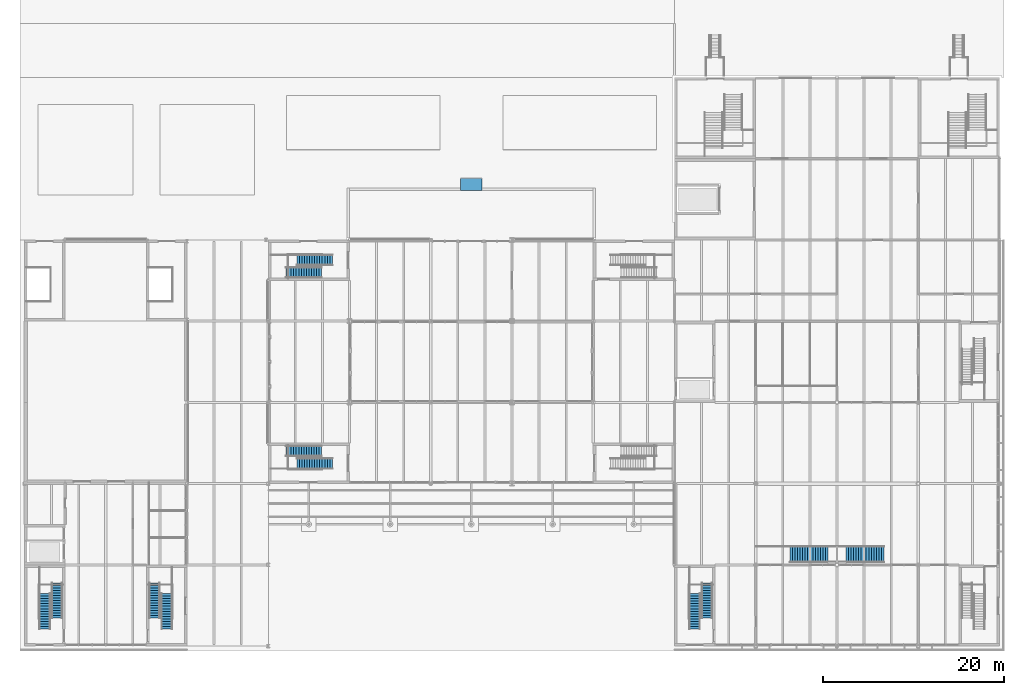
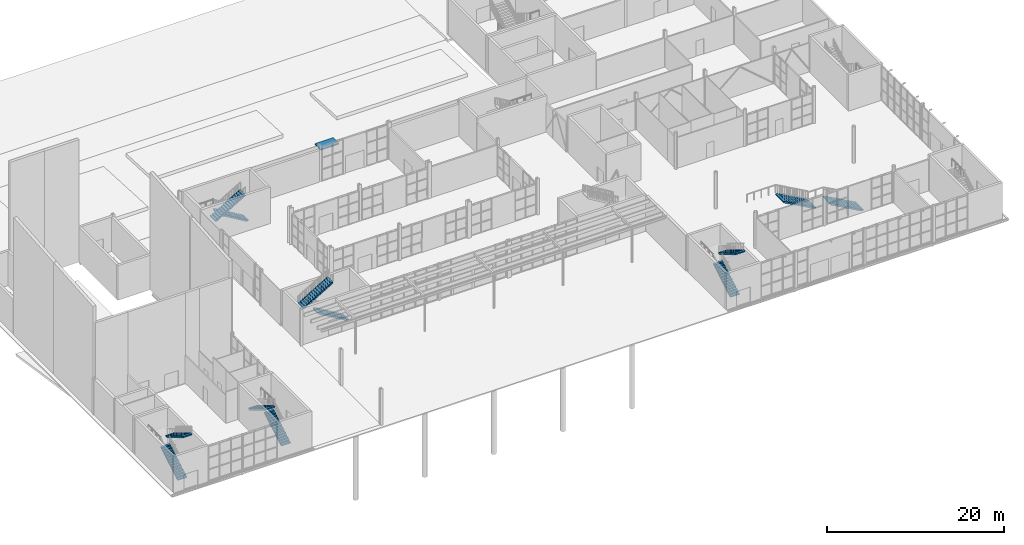
# One storey, part 41 of 63: 13 stair flights, 7 elements without a shape of their own.
"""IFC4 building model written with IfcOpenShell, lengths in metres."""

from ifc_helpers import new_model, si_unit, direction, frame, origin, place, context, subcontext, project, spatial, polyline, outline, extrude, material, type_object, element, aggregate, save


model = new_model("IFC4")

# Units and contexts
model_context = context("Model", 3, precision=1e-05, world=origin(), true_north=direction((0.0, 1.0)))
body_context = subcontext(model_context, "Body", "Model", "MODEL_VIEW")
ifc_project = project(units=[si_unit("LENGTHUNIT", "METRE"), si_unit("AREAUNIT", "SQUARE_METRE"), si_unit("VOLUMEUNIT", "CUBIC_METRE"), si_unit("PLANEANGLEUNIT", "RADIAN"), si_unit("MASSUNIT", "GRAM", prefix="KILO")], contexts=[model_context])

# Site, building, storey
site_placement = place(None, origin())
site = spatial("IfcSite", under=ifc_project, at=site_placement, CompositionType="ELEMENT")
building_placement = place(site_placement, origin())
building = spatial("IfcBuilding", under=site, at=building_placement, Name="Halyard Row Museum", CompositionType="ELEMENT")
storey_placement = place(building_placement, origin())
storey = spatial("IfcBuildingStorey", under=building, at=storey_placement, Name="L00", CompositionType="ELEMENT", Elevation=0.0)

# Stair, stair flights
ifc_material_1 = material(Name="Concrete 40 MPa", Category="concrete")
stair_type_1 = type_object("IfcStairType", Name="Exit stair two flights 1200", PredefinedType="HALF_TURN_STAIR", material=ifc_material_1)
stair_1_placement = place(storey_placement, origin())
stair_1 = element("IfcStair", 1, at=stair_1_placement, inside=storey, type_object=stair_type_1, Name="Exit stair K1A L00", PredefinedType="HALF_TURN_STAIR")
ifc_material_2 = material(Name="Concrete 40 MPa", Category="concrete")
stair_flight_type_1 = type_object("IfcStairFlightType", Name="Exit stair flight 1200", PredefinedType="STRAIGHT", material=ifc_material_2)
stair_flight_1_placement = place(storey_placement, frame((34.10009765625, 42.75, 0.0), z_axis=(0.0, 0.0, 1.0), x_axis=(-1.0, 0.0, 0.0)))
stair_flight_1 = element("IfcStairFlight", 2, at=stair_flight_1_placement, type_object=stair_flight_type_1, Name="STK1A-L00 flight 1", NumberOfRisers=15, NumberOfTreads=14, PredefinedType="STRAIGHT", RiserHeight=0.166666667, TreadLength=0.28, context=body_context, shape_type="SweptSolid", body=[
    extrude(outline(polyline([(0.0, 0.0), (0.0, 0.166748046875), (0.280029296875, 0.166748046875), (0.280029296875, 0.333251953125), (0.56005859375, 0.333251953125), (0.56005859375, 0.5), (0.840087890625, 0.5), (0.840087890625, 0.666748046875), (1.1201171875, 0.666748046875), (1.1201171875, 0.833251953125), (1.39990234375, 0.833251953125), (1.39990234375, 1.0), (1.679931640625, 1.0), (1.679931640625, 1.166748046875), (1.9599609375, 1.166748046875), (1.9599609375, 1.333251953125), (2.239990234375, 1.333251953125), (2.239990234375, 1.5), (2.52001953125, 1.5), (2.52001953125, 1.666748046875), (2.800048828125, 1.666748046875), (2.800048828125, 1.833251953125), (3.080078125, 1.833251953125), (3.080078125, 2.0), (3.360107421875, 2.0), (3.360107421875, 2.166748046875), (3.639892578125, 2.166748046875), (3.639892578125, 2.333251953125), (3.919921875, 2.333251953125), (3.919921875, 2.5), (3.919921875, 2.158935546875), (0.29296875, 0.0), (0.0, 0.0)])), frame((0.0, 0.60009765625, 0.0), z_axis=(0.0, -1.0, 0.0), x_axis=(1.0, 0.0, 0.0)), (0.0, 0.0, 1.0), 0.59912109375),
    extrude(outline(polyline([(0.0, 0.0), (0.0, 0.166748046875), (0.280029296875, 0.166748046875), (0.280029296875, 0.333251953125), (0.56005859375, 0.333251953125), (0.56005859375, 0.5), (0.840087890625, 0.5), (0.840087890625, 0.666748046875), (1.1201171875, 0.666748046875), (1.1201171875, 0.833251953125), (1.39990234375, 0.833251953125), (1.39990234375, 1.0), (1.679931640625, 1.0), (1.679931640625, 1.166748046875), (1.9599609375, 1.166748046875), (1.9599609375, 1.333251953125), (2.239990234375, 1.333251953125), (2.239990234375, 1.5), (2.52001953125, 1.5), (2.52001953125, 1.666748046875), (2.800048828125, 1.666748046875), (2.800048828125, 1.833251953125), (3.080078125, 1.833251953125), (3.080078125, 2.0), (3.360107421875, 2.0), (3.360107421875, 2.166748046875), (3.639892578125, 2.166748046875), (3.639892578125, 2.333251953125), (3.919921875, 2.333251953125), (3.919921875, 2.5), (3.919921875, 2.158935546875), (0.29296875, 0.0), (0.0, 0.0)])), frame((0.0, -0.0009765625, 0.0), z_axis=(0.0, -1.0, 0.0), x_axis=(1.0, 0.0, 0.0)), (0.0, 0.0, 1.0), 0.59912109375),
])
stair_flight_2_placement = place(storey_placement, frame((28.97998046875, 41.39990234375, 2.5), z_axis=(0.0, 0.0, 1.0), x_axis=(1.0, 0.0, 0.0)))
stair_flight_2 = element("IfcStairFlight", 3, at=stair_flight_2_placement, type_object=stair_flight_type_1, Name="STK1A-L00 flight 2", NumberOfRisers=15, NumberOfTreads=14, PredefinedType="STRAIGHT", RiserHeight=0.166666667, TreadLength=0.28, context=body_context, shape_type="SweptSolid", body=[
    extrude(outline(polyline([(0.0, 0.0), (0.0, 0.166748046875), (0.280029296875, 0.166748046875), (0.280029296875, 0.333251953125), (0.56005859375, 0.333251953125), (0.56005859375, 0.5), (0.840087890625, 0.5), (0.840087890625, 0.666748046875), (1.1201171875, 0.666748046875), (1.1201171875, 0.833251953125), (1.39990234375, 0.833251953125), (1.39990234375, 1.0), (1.679931640625, 1.0), (1.679931640625, 1.166748046875), (1.9599609375, 1.166748046875), (1.9599609375, 1.333251953125), (2.239990234375, 1.333251953125), (2.239990234375, 1.5), (2.52001953125, 1.5), (2.52001953125, 1.666748046875), (2.800048828125, 1.666748046875), (2.800048828125, 1.833251953125), (3.080078125, 1.833251953125), (3.080078125, 2.0), (3.360107421875, 2.0), (3.360107421875, 2.166748046875), (3.639892578125, 2.166748046875), (3.639892578125, 2.333251953125), (3.919921875, 2.333251953125), (3.919921875, 2.5), (3.919921875, 2.158935546875), (0.29296875, 0.0), (0.0, 0.0)])), frame((0.0, 0.60009765625, 0.0), z_axis=(0.0, -1.0, 0.0), x_axis=(1.0, 0.0, 0.0)), (0.0, 0.0, 1.0), 0.59912109375),
    extrude(outline(polyline([(0.0, 0.0), (0.0, 0.166748046875), (0.280029296875, 0.166748046875), (0.280029296875, 0.333251953125), (0.56005859375, 0.333251953125), (0.56005859375, 0.5), (0.840087890625, 0.5), (0.840087890625, 0.666748046875), (1.1201171875, 0.666748046875), (1.1201171875, 0.833251953125), (1.39990234375, 0.833251953125), (1.39990234375, 1.0), (1.679931640625, 1.0), (1.679931640625, 1.166748046875), (1.9599609375, 1.166748046875), (1.9599609375, 1.333251953125), (2.239990234375, 1.333251953125), (2.239990234375, 1.5), (2.52001953125, 1.5), (2.52001953125, 1.666748046875), (2.800048828125, 1.666748046875), (2.800048828125, 1.833251953125), (3.080078125, 1.833251953125), (3.080078125, 2.0), (3.360107421875, 2.0), (3.360107421875, 2.166748046875), (3.639892578125, 2.166748046875), (3.639892578125, 2.333251953125), (3.919921875, 2.333251953125), (3.919921875, 2.5), (3.919921875, 2.158935546875), (0.29296875, 0.0), (0.0, 0.0)])), frame((0.0, -0.0009765625, 0.0), z_axis=(0.0, -1.0, 0.0), x_axis=(1.0, 0.0, 0.0)), (0.0, 0.0, 1.0), 0.59912109375),
])
aggregate(stair_1, [stair_flight_1, stair_flight_2])

stair_2_placement = place(storey_placement, origin())
stair_2 = element("IfcStair", 4, at=stair_2_placement, inside=storey, type_object=stair_type_1, Name="Exit stair K1D L00", PredefinedType="HALF_TURN_STAIR")
stair_flight_3_placement = place(storey_placement, frame((34.10009765625, 20.25, 0.0), z_axis=(0.0, 0.0, 1.0), x_axis=(-1.0, 0.0, 0.0)))
stair_flight_3 = element("IfcStairFlight", 5, at=stair_flight_3_placement, type_object=stair_flight_type_1, Name="STK1D-L00 flight 1", NumberOfRisers=15, NumberOfTreads=14, PredefinedType="STRAIGHT", RiserHeight=0.166666667, TreadLength=0.28, context=body_context, shape_type="SweptSolid", body=[
    extrude(outline(polyline([(0.0, 0.0), (0.0, 0.166748046875), (0.280029296875, 0.166748046875), (0.280029296875, 0.333251953125), (0.56005859375, 0.333251953125), (0.56005859375, 0.5), (0.840087890625, 0.5), (0.840087890625, 0.666748046875), (1.1201171875, 0.666748046875), (1.1201171875, 0.833251953125), (1.39990234375, 0.833251953125), (1.39990234375, 1.0), (1.679931640625, 1.0), (1.679931640625, 1.166748046875), (1.9599609375, 1.166748046875), (1.9599609375, 1.333251953125), (2.239990234375, 1.333251953125), (2.239990234375, 1.5), (2.52001953125, 1.5), (2.52001953125, 1.666748046875), (2.800048828125, 1.666748046875), (2.800048828125, 1.833251953125), (3.080078125, 1.833251953125), (3.080078125, 2.0), (3.360107421875, 2.0), (3.360107421875, 2.166748046875), (3.639892578125, 2.166748046875), (3.639892578125, 2.333251953125), (3.919921875, 2.333251953125), (3.919921875, 2.5), (3.919921875, 2.158935546875), (0.29296875, 0.0), (0.0, 0.0)])), frame((0.0, 0.60009765625, 0.0), z_axis=(0.0, -1.0, 0.0), x_axis=(1.0, 0.0, 0.0)), (0.0, 0.0, 1.0), 0.59912109375),
    extrude(outline(polyline([(0.0, 0.0), (0.0, 0.166748046875), (0.280029296875, 0.166748046875), (0.280029296875, 0.333251953125), (0.56005859375, 0.333251953125), (0.56005859375, 0.5), (0.840087890625, 0.5), (0.840087890625, 0.666748046875), (1.1201171875, 0.666748046875), (1.1201171875, 0.833251953125), (1.39990234375, 0.833251953125), (1.39990234375, 1.0), (1.679931640625, 1.0), (1.679931640625, 1.166748046875), (1.9599609375, 1.166748046875), (1.9599609375, 1.333251953125), (2.239990234375, 1.333251953125), (2.239990234375, 1.5), (2.52001953125, 1.5), (2.52001953125, 1.666748046875), (2.800048828125, 1.666748046875), (2.800048828125, 1.833251953125), (3.080078125, 1.833251953125), (3.080078125, 2.0), (3.360107421875, 2.0), (3.360107421875, 2.166748046875), (3.639892578125, 2.166748046875), (3.639892578125, 2.333251953125), (3.919921875, 2.333251953125), (3.919921875, 2.5), (3.919921875, 2.158935546875), (0.29296875, 0.0), (0.0, 0.0)])), frame((0.0, -0.0009765625, 0.0), z_axis=(0.0, -1.0, 0.0), x_axis=(1.0, 0.0, 0.0)), (0.0, 0.0, 1.0), 0.59912109375),
])
stair_flight_4_placement = place(storey_placement, frame((28.97998046875, 21.60009765625, 2.5), z_axis=(0.0, 0.0, 1.0), x_axis=(1.0, 0.0, 0.0)))
stair_flight_4 = element("IfcStairFlight", 6, at=stair_flight_4_placement, type_object=stair_flight_type_1, Name="STK1D-L00 flight 2", NumberOfRisers=15, NumberOfTreads=14, PredefinedType="STRAIGHT", RiserHeight=0.166666667, TreadLength=0.28, context=body_context, shape_type="SweptSolid", body=[
    extrude(outline(polyline([(0.0, 0.0), (0.0, 0.166748046875), (0.280029296875, 0.166748046875), (0.280029296875, 0.333251953125), (0.56005859375, 0.333251953125), (0.56005859375, 0.5), (0.840087890625, 0.5), (0.840087890625, 0.666748046875), (1.1201171875, 0.666748046875), (1.1201171875, 0.833251953125), (1.39990234375, 0.833251953125), (1.39990234375, 1.0), (1.679931640625, 1.0), (1.679931640625, 1.166748046875), (1.9599609375, 1.166748046875), (1.9599609375, 1.333251953125), (2.239990234375, 1.333251953125), (2.239990234375, 1.5), (2.52001953125, 1.5), (2.52001953125, 1.666748046875), (2.800048828125, 1.666748046875), (2.800048828125, 1.833251953125), (3.080078125, 1.833251953125), (3.080078125, 2.0), (3.360107421875, 2.0), (3.360107421875, 2.166748046875), (3.639892578125, 2.166748046875), (3.639892578125, 2.333251953125), (3.919921875, 2.333251953125), (3.919921875, 2.5), (3.919921875, 2.158935546875), (0.29296875, 0.0), (0.0, 0.0)])), frame((0.0, 0.60009765625, 0.0), z_axis=(0.0, -1.0, 0.0), x_axis=(1.0, 0.0, 0.0)), (0.0, 0.0, 1.0), 0.59912109375),
    extrude(outline(polyline([(0.0, 0.0), (0.0, 0.166748046875), (0.280029296875, 0.166748046875), (0.280029296875, 0.333251953125), (0.56005859375, 0.333251953125), (0.56005859375, 0.5), (0.840087890625, 0.5), (0.840087890625, 0.666748046875), (1.1201171875, 0.666748046875), (1.1201171875, 0.833251953125), (1.39990234375, 0.833251953125), (1.39990234375, 1.0), (1.679931640625, 1.0), (1.679931640625, 1.166748046875), (1.9599609375, 1.166748046875), (1.9599609375, 1.333251953125), (2.239990234375, 1.333251953125), (2.239990234375, 1.5), (2.52001953125, 1.5), (2.52001953125, 1.666748046875), (2.800048828125, 1.666748046875), (2.800048828125, 1.833251953125), (3.080078125, 1.833251953125), (3.080078125, 2.0), (3.360107421875, 2.0), (3.360107421875, 2.166748046875), (3.639892578125, 2.166748046875), (3.639892578125, 2.333251953125), (3.919921875, 2.333251953125), (3.919921875, 2.5), (3.919921875, 2.158935546875), (0.29296875, 0.0), (0.0, 0.0)])), frame((0.0, -0.0009765625, 0.0), z_axis=(0.0, -1.0, 0.0), x_axis=(1.0, 0.0, 0.0)), (0.0, 0.0, 1.0), 0.59912109375),
])
aggregate(stair_2, [stair_flight_3, stair_flight_4])

stair_3_placement = place(storey_placement, origin())
stair_3 = element("IfcStair", 7, at=stair_3_placement, inside=storey, type_object=stair_type_1, Name="Exit stair K2A L00", PredefinedType="HALF_TURN_STAIR")
stair_flight_5_placement = place(storey_placement, frame((74.25, 1.89990234375, 0.0), z_axis=(0.0, 0.0, 1.0), x_axis=(0.0, 1.0, 0.0)))
stair_flight_5 = element("IfcStairFlight", 8, at=stair_flight_5_placement, type_object=stair_flight_type_1, Name="STK2A-L00 flight 1", NumberOfRisers=15, NumberOfTreads=14, PredefinedType="STRAIGHT", RiserHeight=0.166666667, TreadLength=0.28, context=body_context, shape_type="SweptSolid", body=[
    extrude(outline(polyline([(0.0, 0.0), (0.0, 0.166748046875), (0.280029296875, 0.166748046875), (0.280029296875, 0.333251953125), (0.56005859375, 0.333251953125), (0.56005859375, 0.5), (0.840087890625, 0.5), (0.840087890625, 0.666748046875), (1.1201171875, 0.666748046875), (1.1201171875, 0.833251953125), (1.39990234375, 0.833251953125), (1.39990234375, 1.0), (1.679931640625, 1.0), (1.679931640625, 1.166748046875), (1.9599609375, 1.166748046875), (1.9599609375, 1.333251953125), (2.239990234375, 1.333251953125), (2.239990234375, 1.5), (2.52001953125, 1.5), (2.52001953125, 1.666748046875), (2.800048828125, 1.666748046875), (2.800048828125, 1.833251953125), (3.080078125, 1.833251953125), (3.080078125, 2.0), (3.360107421875, 2.0), (3.360107421875, 2.166748046875), (3.639892578125, 2.166748046875), (3.639892578125, 2.333251953125), (3.919921875, 2.333251953125), (3.919921875, 2.5), (3.919921875, 2.158935546875), (0.29296875, 0.0), (0.0, 0.0)])), frame((0.0, 0.60009765625, 0.0), z_axis=(0.0, -1.0, 0.0), x_axis=(1.0, 0.0, 0.0)), (0.0, 0.0, 1.0), 0.59912109375),
    extrude(outline(polyline([(0.0, 0.0), (0.0, 0.166748046875), (0.280029296875, 0.166748046875), (0.280029296875, 0.333251953125), (0.56005859375, 0.333251953125), (0.56005859375, 0.5), (0.840087890625, 0.5), (0.840087890625, 0.666748046875), (1.1201171875, 0.666748046875), (1.1201171875, 0.833251953125), (1.39990234375, 0.833251953125), (1.39990234375, 1.0), (1.679931640625, 1.0), (1.679931640625, 1.166748046875), (1.9599609375, 1.166748046875), (1.9599609375, 1.333251953125), (2.239990234375, 1.333251953125), (2.239990234375, 1.5), (2.52001953125, 1.5), (2.52001953125, 1.666748046875), (2.800048828125, 1.666748046875), (2.800048828125, 1.833251953125), (3.080078125, 1.833251953125), (3.080078125, 2.0), (3.360107421875, 2.0), (3.360107421875, 2.166748046875), (3.639892578125, 2.166748046875), (3.639892578125, 2.333251953125), (3.919921875, 2.333251953125), (3.919921875, 2.5), (3.919921875, 2.158935546875), (0.29296875, 0.0), (0.0, 0.0)])), frame((0.0, -0.0009765625, 0.0), z_axis=(0.0, -1.0, 0.0), x_axis=(1.0, 0.0, 0.0)), (0.0, 0.0, 1.0), 0.59912109375),
])
stair_flight_6_placement = place(storey_placement, frame((75.60009765625, 7.02001953125, 2.5), z_axis=(0.0, 0.0, 1.0), x_axis=(0.0, -1.0, 0.0)))
stair_flight_6 = element("IfcStairFlight", 9, at=stair_flight_6_placement, type_object=stair_flight_type_1, Name="STK2A-L00 flight 2", NumberOfRisers=15, NumberOfTreads=14, PredefinedType="STRAIGHT", RiserHeight=0.166666667, TreadLength=0.28, context=body_context, shape_type="SweptSolid", body=[
    extrude(outline(polyline([(0.0, 0.0), (0.0, 0.166748046875), (0.280029296875, 0.166748046875), (0.280029296875, 0.333251953125), (0.56005859375, 0.333251953125), (0.56005859375, 0.5), (0.840087890625, 0.5), (0.840087890625, 0.666748046875), (1.1201171875, 0.666748046875), (1.1201171875, 0.833251953125), (1.39990234375, 0.833251953125), (1.39990234375, 1.0), (1.679931640625, 1.0), (1.679931640625, 1.166748046875), (1.9599609375, 1.166748046875), (1.9599609375, 1.333251953125), (2.239990234375, 1.333251953125), (2.239990234375, 1.5), (2.52001953125, 1.5), (2.52001953125, 1.666748046875), (2.800048828125, 1.666748046875), (2.800048828125, 1.833251953125), (3.080078125, 1.833251953125), (3.080078125, 2.0), (3.360107421875, 2.0), (3.360107421875, 2.166748046875), (3.639892578125, 2.166748046875), (3.639892578125, 2.333251953125), (3.919921875, 2.333251953125), (3.919921875, 2.5), (3.919921875, 2.158935546875), (0.29296875, 0.0), (0.0, 0.0)])), frame((0.0, 0.60009765625, 0.0), z_axis=(0.0, -1.0, 0.0), x_axis=(1.0, 0.0, 0.0)), (0.0, 0.0, 1.0), 0.59912109375),
    extrude(outline(polyline([(0.0, 0.0), (0.0, 0.166748046875), (0.280029296875, 0.166748046875), (0.280029296875, 0.333251953125), (0.56005859375, 0.333251953125), (0.56005859375, 0.5), (0.840087890625, 0.5), (0.840087890625, 0.666748046875), (1.1201171875, 0.666748046875), (1.1201171875, 0.833251953125), (1.39990234375, 0.833251953125), (1.39990234375, 1.0), (1.679931640625, 1.0), (1.679931640625, 1.166748046875), (1.9599609375, 1.166748046875), (1.9599609375, 1.333251953125), (2.239990234375, 1.333251953125), (2.239990234375, 1.5), (2.52001953125, 1.5), (2.52001953125, 1.666748046875), (2.800048828125, 1.666748046875), (2.800048828125, 1.833251953125), (3.080078125, 1.833251953125), (3.080078125, 2.0), (3.360107421875, 2.0), (3.360107421875, 2.166748046875), (3.639892578125, 2.166748046875), (3.639892578125, 2.333251953125), (3.919921875, 2.333251953125), (3.919921875, 2.5), (3.919921875, 2.158935546875), (0.29296875, 0.0), (0.0, 0.0)])), frame((0.0, -0.0009765625, 0.0), z_axis=(0.0, -1.0, 0.0), x_axis=(1.0, 0.0, 0.0)), (0.0, 0.0, 1.0), 0.59912109375),
])
aggregate(stair_3, [stair_flight_5, stair_flight_6])

stair_4_placement = place(storey_placement, origin())
stair_4 = element("IfcStair", 10, at=stair_4_placement, inside=storey, type_object=stair_type_1, Name="Exit stair K3E L00", PredefinedType="HALF_TURN_STAIR")
stair_flight_7_placement = place(storey_placement, frame((15.75, 1.89990234375, 0.0), z_axis=(0.0, 0.0, 1.0), x_axis=(0.0, 1.0, 0.0)))
stair_flight_7 = element("IfcStairFlight", 11, at=stair_flight_7_placement, type_object=stair_flight_type_1, Name="STK3E-L00 flight 1", NumberOfRisers=15, NumberOfTreads=14, PredefinedType="STRAIGHT", RiserHeight=0.166666667, TreadLength=0.28, context=body_context, shape_type="SweptSolid", body=[
    extrude(outline(polyline([(0.0, 0.0), (0.0, 0.166748046875), (0.280029296875, 0.166748046875), (0.280029296875, 0.333251953125), (0.56005859375, 0.333251953125), (0.56005859375, 0.5), (0.840087890625, 0.5), (0.840087890625, 0.666748046875), (1.1201171875, 0.666748046875), (1.1201171875, 0.833251953125), (1.39990234375, 0.833251953125), (1.39990234375, 1.0), (1.679931640625, 1.0), (1.679931640625, 1.166748046875), (1.9599609375, 1.166748046875), (1.9599609375, 1.333251953125), (2.239990234375, 1.333251953125), (2.239990234375, 1.5), (2.52001953125, 1.5), (2.52001953125, 1.666748046875), (2.800048828125, 1.666748046875), (2.800048828125, 1.833251953125), (3.080078125, 1.833251953125), (3.080078125, 2.0), (3.360107421875, 2.0), (3.360107421875, 2.166748046875), (3.639892578125, 2.166748046875), (3.639892578125, 2.333251953125), (3.919921875, 2.333251953125), (3.919921875, 2.5), (3.919921875, 2.158935546875), (0.29296875, 0.0), (0.0, 0.0)])), frame((0.0, 0.60009765625, 0.0), z_axis=(0.0, -1.0, 0.0), x_axis=(1.0, 0.0, 0.0)), (0.0, 0.0, 1.0), 0.59912109375),
    extrude(outline(polyline([(0.0, 0.0), (0.0, 0.166748046875), (0.280029296875, 0.166748046875), (0.280029296875, 0.333251953125), (0.56005859375, 0.333251953125), (0.56005859375, 0.5), (0.840087890625, 0.5), (0.840087890625, 0.666748046875), (1.1201171875, 0.666748046875), (1.1201171875, 0.833251953125), (1.39990234375, 0.833251953125), (1.39990234375, 1.0), (1.679931640625, 1.0), (1.679931640625, 1.166748046875), (1.9599609375, 1.166748046875), (1.9599609375, 1.333251953125), (2.239990234375, 1.333251953125), (2.239990234375, 1.5), (2.52001953125, 1.5), (2.52001953125, 1.666748046875), (2.800048828125, 1.666748046875), (2.800048828125, 1.833251953125), (3.080078125, 1.833251953125), (3.080078125, 2.0), (3.360107421875, 2.0), (3.360107421875, 2.166748046875), (3.639892578125, 2.166748046875), (3.639892578125, 2.333251953125), (3.919921875, 2.333251953125), (3.919921875, 2.5), (3.919921875, 2.158935546875), (0.29296875, 0.0), (0.0, 0.0)])), frame((0.0, -0.0009765625, 0.0), z_axis=(0.0, -1.0, 0.0), x_axis=(1.0, 0.0, 0.0)), (0.0, 0.0, 1.0), 0.59912109375),
])
stair_flight_8_placement = place(storey_placement, frame((14.39990234375, 7.02001953125, 2.5), z_axis=(0.0, 0.0, 1.0), x_axis=(0.0, -1.0, 0.0)))
stair_flight_8 = element("IfcStairFlight", 12, at=stair_flight_8_placement, type_object=stair_flight_type_1, Name="STK3E-L00 flight 2", NumberOfRisers=15, NumberOfTreads=14, PredefinedType="STRAIGHT", RiserHeight=0.166666667, TreadLength=0.28, context=body_context, shape_type="SweptSolid", body=[
    extrude(outline(polyline([(0.0, 0.0), (0.0, 0.166748046875), (0.280029296875, 0.166748046875), (0.280029296875, 0.333251953125), (0.56005859375, 0.333251953125), (0.56005859375, 0.5), (0.840087890625, 0.5), (0.840087890625, 0.666748046875), (1.1201171875, 0.666748046875), (1.1201171875, 0.833251953125), (1.39990234375, 0.833251953125), (1.39990234375, 1.0), (1.679931640625, 1.0), (1.679931640625, 1.166748046875), (1.9599609375, 1.166748046875), (1.9599609375, 1.333251953125), (2.239990234375, 1.333251953125), (2.239990234375, 1.5), (2.52001953125, 1.5), (2.52001953125, 1.666748046875), (2.800048828125, 1.666748046875), (2.800048828125, 1.833251953125), (3.080078125, 1.833251953125), (3.080078125, 2.0), (3.360107421875, 2.0), (3.360107421875, 2.166748046875), (3.639892578125, 2.166748046875), (3.639892578125, 2.333251953125), (3.919921875, 2.333251953125), (3.919921875, 2.5), (3.919921875, 2.158935546875), (0.29296875, 0.0), (0.0, 0.0)])), frame((0.0, 0.60009765625, 0.0), z_axis=(0.0, -1.0, 0.0), x_axis=(1.0, 0.0, 0.0)), (0.0, 0.0, 1.0), 0.59912109375),
    extrude(outline(polyline([(0.0, 0.0), (0.0, 0.166748046875), (0.280029296875, 0.166748046875), (0.280029296875, 0.333251953125), (0.56005859375, 0.333251953125), (0.56005859375, 0.5), (0.840087890625, 0.5), (0.840087890625, 0.666748046875), (1.1201171875, 0.666748046875), (1.1201171875, 0.833251953125), (1.39990234375, 0.833251953125), (1.39990234375, 1.0), (1.679931640625, 1.0), (1.679931640625, 1.166748046875), (1.9599609375, 1.166748046875), (1.9599609375, 1.333251953125), (2.239990234375, 1.333251953125), (2.239990234375, 1.5), (2.52001953125, 1.5), (2.52001953125, 1.666748046875), (2.800048828125, 1.666748046875), (2.800048828125, 1.833251953125), (3.080078125, 1.833251953125), (3.080078125, 2.0), (3.360107421875, 2.0), (3.360107421875, 2.166748046875), (3.639892578125, 2.166748046875), (3.639892578125, 2.333251953125), (3.919921875, 2.333251953125), (3.919921875, 2.5), (3.919921875, 2.158935546875), (0.29296875, 0.0), (0.0, 0.0)])), frame((0.0, -0.0009765625, 0.0), z_axis=(0.0, -1.0, 0.0), x_axis=(1.0, 0.0, 0.0)), (0.0, 0.0, 1.0), 0.59912109375),
])
aggregate(stair_4, [stair_flight_7, stair_flight_8])

stair_5_placement = place(storey_placement, origin())
stair_5 = element("IfcStair", 13, at=stair_5_placement, inside=storey, type_object=stair_type_1, Name="Exit stair K3S L00", PredefinedType="HALF_TURN_STAIR")
stair_flight_9_placement = place(storey_placement, frame((2.25, 1.89990234375, 0.0), z_axis=(0.0, 0.0, 1.0), x_axis=(0.0, 1.0, 0.0)))
stair_flight_9 = element("IfcStairFlight", 14, at=stair_flight_9_placement, type_object=stair_flight_type_1, Name="STK3S-L00 flight 1", NumberOfRisers=15, NumberOfTreads=14, PredefinedType="STRAIGHT", RiserHeight=0.166666667, TreadLength=0.28, context=body_context, shape_type="SweptSolid", body=[
    extrude(outline(polyline([(0.0, 0.0), (0.0, 0.166748046875), (0.280029296875, 0.166748046875), (0.280029296875, 0.333251953125), (0.56005859375, 0.333251953125), (0.56005859375, 0.5), (0.840087890625, 0.5), (0.840087890625, 0.666748046875), (1.1201171875, 0.666748046875), (1.1201171875, 0.833251953125), (1.39990234375, 0.833251953125), (1.39990234375, 1.0), (1.679931640625, 1.0), (1.679931640625, 1.166748046875), (1.9599609375, 1.166748046875), (1.9599609375, 1.333251953125), (2.239990234375, 1.333251953125), (2.239990234375, 1.5), (2.52001953125, 1.5), (2.52001953125, 1.666748046875), (2.800048828125, 1.666748046875), (2.800048828125, 1.833251953125), (3.080078125, 1.833251953125), (3.080078125, 2.0), (3.360107421875, 2.0), (3.360107421875, 2.166748046875), (3.639892578125, 2.166748046875), (3.639892578125, 2.333251953125), (3.919921875, 2.333251953125), (3.919921875, 2.5), (3.919921875, 2.158935546875), (0.29296875, 0.0), (0.0, 0.0)])), frame((0.0, 0.60009765625, 0.0), z_axis=(0.0, -1.0, 0.0), x_axis=(1.0, 0.0, 0.0)), (0.0, 0.0, 1.0), 0.59912109375),
    extrude(outline(polyline([(0.0, 0.0), (0.0, 0.166748046875), (0.280029296875, 0.166748046875), (0.280029296875, 0.333251953125), (0.56005859375, 0.333251953125), (0.56005859375, 0.5), (0.840087890625, 0.5), (0.840087890625, 0.666748046875), (1.1201171875, 0.666748046875), (1.1201171875, 0.833251953125), (1.39990234375, 0.833251953125), (1.39990234375, 1.0), (1.679931640625, 1.0), (1.679931640625, 1.166748046875), (1.9599609375, 1.166748046875), (1.9599609375, 1.333251953125), (2.239990234375, 1.333251953125), (2.239990234375, 1.5), (2.52001953125, 1.5), (2.52001953125, 1.666748046875), (2.800048828125, 1.666748046875), (2.800048828125, 1.833251953125), (3.080078125, 1.833251953125), (3.080078125, 2.0), (3.360107421875, 2.0), (3.360107421875, 2.166748046875), (3.639892578125, 2.166748046875), (3.639892578125, 2.333251953125), (3.919921875, 2.333251953125), (3.919921875, 2.5), (3.919921875, 2.158935546875), (0.29296875, 0.0), (0.0, 0.0)])), frame((0.0, -0.0009765625, 0.0), z_axis=(0.0, -1.0, 0.0), x_axis=(1.0, 0.0, 0.0)), (0.0, 0.0, 1.0), 0.59912109375),
])
stair_flight_10_placement = place(storey_placement, frame((3.60009765625, 7.02001953125, 2.5), z_axis=(0.0, 0.0, 1.0), x_axis=(0.0, -1.0, 0.0)))
stair_flight_10 = element("IfcStairFlight", 15, at=stair_flight_10_placement, type_object=stair_flight_type_1, Name="STK3S-L00 flight 2", NumberOfRisers=15, NumberOfTreads=14, PredefinedType="STRAIGHT", RiserHeight=0.166666667, TreadLength=0.28, context=body_context, shape_type="SweptSolid", body=[
    extrude(outline(polyline([(0.0, 0.0), (0.0, 0.166748046875), (0.280029296875, 0.166748046875), (0.280029296875, 0.333251953125), (0.56005859375, 0.333251953125), (0.56005859375, 0.5), (0.840087890625, 0.5), (0.840087890625, 0.666748046875), (1.1201171875, 0.666748046875), (1.1201171875, 0.833251953125), (1.39990234375, 0.833251953125), (1.39990234375, 1.0), (1.679931640625, 1.0), (1.679931640625, 1.166748046875), (1.9599609375, 1.166748046875), (1.9599609375, 1.333251953125), (2.239990234375, 1.333251953125), (2.239990234375, 1.5), (2.52001953125, 1.5), (2.52001953125, 1.666748046875), (2.800048828125, 1.666748046875), (2.800048828125, 1.833251953125), (3.080078125, 1.833251953125), (3.080078125, 2.0), (3.360107421875, 2.0), (3.360107421875, 2.166748046875), (3.639892578125, 2.166748046875), (3.639892578125, 2.333251953125), (3.919921875, 2.333251953125), (3.919921875, 2.5), (3.919921875, 2.158935546875), (0.29296875, 0.0), (0.0, 0.0)])), frame((0.0, 0.60009765625, 0.0), z_axis=(0.0, -1.0, 0.0), x_axis=(1.0, 0.0, 0.0)), (0.0, 0.0, 1.0), 0.59912109375),
    extrude(outline(polyline([(0.0, 0.0), (0.0, 0.166748046875), (0.280029296875, 0.166748046875), (0.280029296875, 0.333251953125), (0.56005859375, 0.333251953125), (0.56005859375, 0.5), (0.840087890625, 0.5), (0.840087890625, 0.666748046875), (1.1201171875, 0.666748046875), (1.1201171875, 0.833251953125), (1.39990234375, 0.833251953125), (1.39990234375, 1.0), (1.679931640625, 1.0), (1.679931640625, 1.166748046875), (1.9599609375, 1.166748046875), (1.9599609375, 1.333251953125), (2.239990234375, 1.333251953125), (2.239990234375, 1.5), (2.52001953125, 1.5), (2.52001953125, 1.666748046875), (2.800048828125, 1.666748046875), (2.800048828125, 1.833251953125), (3.080078125, 1.833251953125), (3.080078125, 2.0), (3.360107421875, 2.0), (3.360107421875, 2.166748046875), (3.639892578125, 2.166748046875), (3.639892578125, 2.333251953125), (3.919921875, 2.333251953125), (3.919921875, 2.5), (3.919921875, 2.158935546875), (0.29296875, 0.0), (0.0, 0.0)])), frame((0.0, -0.0009765625, 0.0), z_axis=(0.0, -1.0, 0.0), x_axis=(1.0, 0.0, 0.0)), (0.0, 0.0, 1.0), 0.59912109375),
])
aggregate(stair_5, [stair_flight_9, stair_flight_10])

ifc_material_3 = material(Name="Steel Grade 350", Category="steel")
stair_type_2 = type_object("IfcStairType", Name="Feature stair two flights 1800", PredefinedType="HALF_TURN_STAIR", material=ifc_material_3)
stair_6_placement = place(storey_placement, origin())
stair_6 = element("IfcStair", 16, at=stair_6_placement, inside=storey, type_object=stair_type_2, Name="Feature stair L00", PredefinedType="HALF_TURN_STAIR")
ifc_material_4 = material(Name="Steel Grade 350", Category="steel")
stair_flight_type_2 = type_object("IfcStairFlightType", Name="Feature stair flight 1800", PredefinedType="STRAIGHT", material=ifc_material_4)
stair_flight_11_placement = place(storey_placement, frame((95.199951171875, 10.14990234375, 0.0), z_axis=(0.0, 0.0, 1.0), x_axis=(-1.0, 0.0, 0.0)))
stair_flight_11 = element("IfcStairFlight", 17, at=stair_flight_11_placement, type_object=stair_flight_type_2, Name="STF-L00 flight 1", NumberOfRisers=16, NumberOfTreads=15, PredefinedType="STRAIGHT", RiserHeight=0.15625, TreadLength=0.28, context=body_context, shape_type="SweptSolid", body=[
    extrude(outline(polyline([(0.0, 0.0), (0.0, 0.15625), (0.280029296875, 0.15625), (0.280029296875, 0.3125), (0.56005859375, 0.3125), (0.56005859375, 0.46875), (0.840087890625, 0.46875), (0.840087890625, 0.625), (1.1201171875, 0.625), (1.1201171875, 0.78125), (1.39990234375, 0.78125), (1.39990234375, 0.9375), (1.679931640625, 0.9375), (1.679931640625, 1.09375), (1.9599609375, 1.09375), (1.9599609375, 1.25), (2.239990234375, 1.25), (2.239990234375, 1.40625), (2.52001953125, 1.40625), (2.52001953125, 1.5625), (2.800048828125, 1.5625), (2.800048828125, 1.71875), (3.080078125, 1.71875), (3.080078125, 1.875), (3.360107421875, 1.875), (3.360107421875, 2.03125), (3.639892578125, 2.03125), (3.639892578125, 2.1875), (3.919921875, 2.1875), (3.919921875, 2.34375), (4.199951171875, 2.34375), (4.199951171875, 2.5), (4.199951171875, 2.172119140625), (0.3076171875, 0.0), (0.0, 0.0)])), frame((0.0, 0.89990234375, 0.0), z_axis=(0.0, -1.0, 0.0), x_axis=(1.0, 0.0, 0.0)), (0.0, 0.0, 1.0), 0.89892578125),
    extrude(outline(polyline([(0.0, 0.0), (0.0, 0.15625), (0.280029296875, 0.15625), (0.280029296875, 0.3125), (0.56005859375, 0.3125), (0.56005859375, 0.46875), (0.840087890625, 0.46875), (0.840087890625, 0.625), (1.1201171875, 0.625), (1.1201171875, 0.78125), (1.39990234375, 0.78125), (1.39990234375, 0.9375), (1.679931640625, 0.9375), (1.679931640625, 1.09375), (1.9599609375, 1.09375), (1.9599609375, 1.25), (2.239990234375, 1.25), (2.239990234375, 1.40625), (2.52001953125, 1.40625), (2.52001953125, 1.5625), (2.800048828125, 1.5625), (2.800048828125, 1.71875), (3.080078125, 1.71875), (3.080078125, 1.875), (3.360107421875, 1.875), (3.360107421875, 2.03125), (3.639892578125, 2.03125), (3.639892578125, 2.1875), (3.919921875, 2.1875), (3.919921875, 2.34375), (4.199951171875, 2.34375), (4.199951171875, 2.5), (4.199951171875, 2.172119140625), (0.3076171875, 0.0), (0.0, 0.0)])), frame((0.0, -0.0009765625, 0.0), z_axis=(0.0, -1.0, 0.0), x_axis=(1.0, 0.0, 0.0)), (0.0, 0.0, 1.0), 0.89892578125),
])
stair_flight_12_placement = place(storey_placement, frame((89.0, 10.14990234375, 2.5), z_axis=(0.0, 0.0, 1.0), x_axis=(-1.0, 0.0, 0.0)))
stair_flight_12 = element("IfcStairFlight", 18, at=stair_flight_12_placement, type_object=stair_flight_type_2, Name="STF-L00 flight 2", NumberOfRisers=16, NumberOfTreads=15, PredefinedType="STRAIGHT", RiserHeight=0.15625, TreadLength=0.28, context=body_context, shape_type="SweptSolid", body=[
    extrude(outline(polyline([(0.0, 0.0), (0.0, 0.15625), (0.280029296875, 0.15625), (0.280029296875, 0.3125), (0.56005859375, 0.3125), (0.56005859375, 0.46875), (0.840087890625, 0.46875), (0.840087890625, 0.625), (1.1201171875, 0.625), (1.1201171875, 0.78125), (1.39990234375, 0.78125), (1.39990234375, 0.9375), (1.679931640625, 0.9375), (1.679931640625, 1.09375), (1.9599609375, 1.09375), (1.9599609375, 1.25), (2.239990234375, 1.25), (2.239990234375, 1.40625), (2.52001953125, 1.40625), (2.52001953125, 1.5625), (2.800048828125, 1.5625), (2.800048828125, 1.71875), (3.080078125, 1.71875), (3.080078125, 1.875), (3.360107421875, 1.875), (3.360107421875, 2.03125), (3.639892578125, 2.03125), (3.639892578125, 2.1875), (3.919921875, 2.1875), (3.919921875, 2.34375), (4.199951171875, 2.34375), (4.199951171875, 2.5), (4.199951171875, 2.172119140625), (0.3076171875, 0.0), (0.0, 0.0)])), frame((0.0, 0.89990234375, 0.0), z_axis=(0.0, -1.0, 0.0), x_axis=(1.0, 0.0, 0.0)), (0.0, 0.0, 1.0), 0.89892578125),
    extrude(outline(polyline([(0.0, 0.0), (0.0, 0.15625), (0.280029296875, 0.15625), (0.280029296875, 0.3125), (0.56005859375, 0.3125), (0.56005859375, 0.46875), (0.840087890625, 0.46875), (0.840087890625, 0.625), (1.1201171875, 0.625), (1.1201171875, 0.78125), (1.39990234375, 0.78125), (1.39990234375, 0.9375), (1.679931640625, 0.9375), (1.679931640625, 1.09375), (1.9599609375, 1.09375), (1.9599609375, 1.25), (2.239990234375, 1.25), (2.239990234375, 1.40625), (2.52001953125, 1.40625), (2.52001953125, 1.5625), (2.800048828125, 1.5625), (2.800048828125, 1.71875), (3.080078125, 1.71875), (3.080078125, 1.875), (3.360107421875, 1.875), (3.360107421875, 2.03125), (3.639892578125, 2.03125), (3.639892578125, 2.1875), (3.919921875, 2.1875), (3.919921875, 2.34375), (4.199951171875, 2.34375), (4.199951171875, 2.5), (4.199951171875, 2.172119140625), (0.3076171875, 0.0), (0.0, 0.0)])), frame((0.0, -0.0009765625, 0.0), z_axis=(0.0, -1.0, 0.0), x_axis=(1.0, 0.0, 0.0)), (0.0, 0.0, 1.0), 0.89892578125),
])
aggregate(stair_6, [stair_flight_11, stair_flight_12])

# Stair, stair flight
ifc_material_5 = material(Name="Concrete 40 MPa", Category="concrete")
stair_type_3 = type_object("IfcStairType", Name="Terrace steps 2400 wide", PredefinedType="STRAIGHT_RUN_STAIR", material=ifc_material_5)
stair_7_placement = place(storey_placement, origin())
stair_7 = element("IfcStair", 19, at=stair_7_placement, inside=storey, type_object=stair_type_3, Name="Cafe terrace steps", PredefinedType="STRAIGHT_RUN_STAIR")
ifc_material_6 = material(Name="Concrete 40 MPa", Category="concrete")
stair_flight_type_3 = type_object("IfcStairFlightType", Name="Terrace step flight 2400 wide", PredefinedType="STRAIGHT", material=ifc_material_6)
stair_flight_13_placement = place(storey_placement, frame((49.5, 51.800048828125, -0.340087890625), z_axis=(0.0, 0.0, 1.0), x_axis=(0.0, -1.0, 0.0)))
stair_flight_13 = element("IfcStairFlight", 20, at=stair_flight_13_placement, type_object=stair_flight_type_3, Name="STX-T flight 1", NumberOfRisers=2, NumberOfTreads=1, PredefinedType="STRAIGHT", RiserHeight=0.17, TreadLength=1.3, context=body_context, shape_type="SweptSolid", body=[
    extrude(outline(polyline([(0.0, 0.0), (0.0, 0.169921875), (1.300048828125, 0.169921875), (1.300048828125, 0.340087890625), (1.300048828125, 0.002197265625), (1.2841796875, 0.0), (0.0, 0.0)])), frame((0.0, 1.199951171875, 0.0), z_axis=(0.0, -1.0, 0.0), x_axis=(1.0, 0.0, 0.0)), (0.0, 0.0, 1.0), 2.39990234375),
])
aggregate(stair_7, [stair_flight_13])

save(model, "model.ifc")
